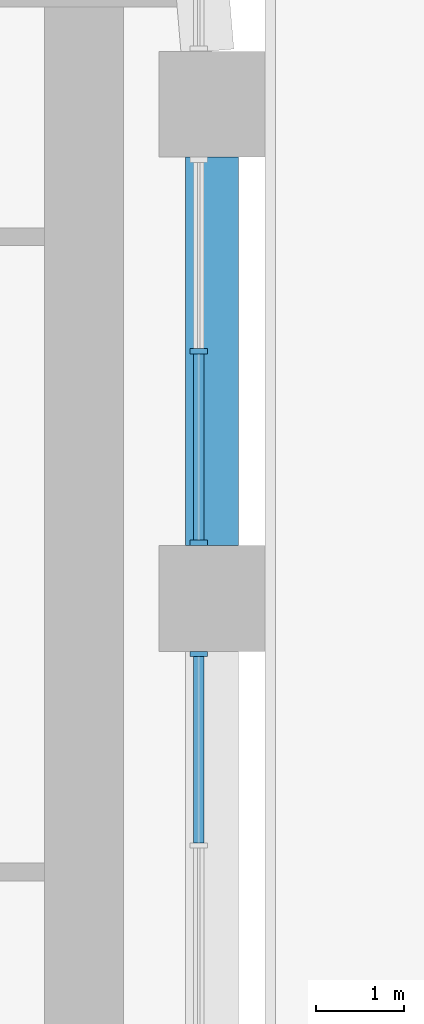
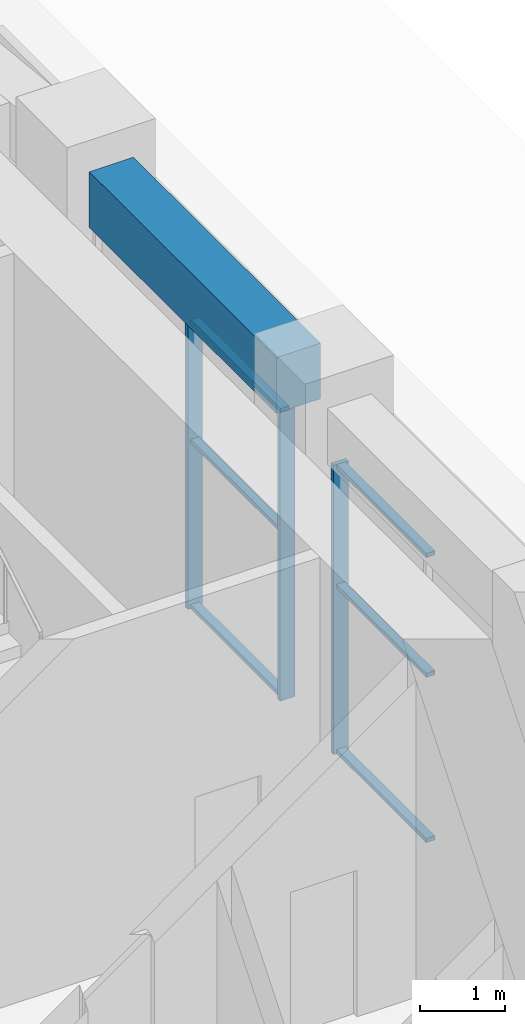
# One storey, part 7 of 28: 9 members, 1 beam, 2 elements without a shape of their own.
"""IFC4 building model written with IfcOpenShell, lengths in metres."""

from ifc_helpers import new_model, si_unit, direction, frame, origin, origin_2d, place, context, subcontext, project, spatial, rectangle, extrude, material, layer, layer_set, material_profile, profile_set, type_object, element, aggregate, save


model = new_model("IFC4")

# Units and contexts
model_context = context("Model", 3, precision=1e-05, world=origin(), true_north=direction((0.0, 1.0)))
body_context = subcontext(model_context, "Body", "Model", "MODEL_VIEW")
ifc_project = project(units=[si_unit("LENGTHUNIT", "METRE"), si_unit("AREAUNIT", "SQUARE_METRE"), si_unit("VOLUMEUNIT", "CUBIC_METRE"), si_unit("PLANEANGLEUNIT", "RADIAN"), si_unit("MASSUNIT", "GRAM", prefix="KILO")], contexts=[model_context])

# Site, building, storey
site_placement = place(None, origin())
site = spatial("IfcSite", under=ifc_project, at=site_placement, CompositionType="ELEMENT")
building_placement = place(site_placement, origin())
building = spatial("IfcBuilding", under=site, at=building_placement, Name="Kiln Ring Residences", CompositionType="ELEMENT")
storey_placement = place(building_placement, frame((0.0, 0.0, 125.300048828125)))
storey = spatial("IfcBuildingStorey", under=building, at=storey_placement, Name="L32", CompositionType="ELEMENT", Elevation=125.300048828125)

# Curtain wall, member
ifc_material_1 = material(Name="Aluminium and glass", Category="aluminium")
ifc_layer = layer(ifc_material_1, 0.199951171875)
ifc_layer_set = layer_set([ifc_layer], Name="CW1 CURTAIN WALL")
curtain_wall_type = type_object("IfcCurtainWallType", Name="CW1 CURTAIN WALL", PredefinedType="NOTDEFINED", material=ifc_layer_set)
placement = place(storey_placement, origin())
curtain_wall_1 = element("IfcCurtainWall", 1, at=placement, inside=storey, type_object=curtain_wall_type, Name="Curtain wall CW1 L32", PredefinedType="NOTDEFINED")
ifc_material_2 = material(Name="Aluminium 6063-T6", Category="aluminium")
ifc_material_profile_1 = material_profile(ifc_material_2, rectangle(XDim=0.199951171875, YDim=0.06005859375, at=origin_2d()), Name="AL 200x60")
ifc_profile_set_1 = profile_set([ifc_material_profile_1], Name="Aluminium 6063-T6")
member_type_1 = type_object("IfcMemberType", Name="CW1 MULLION 200 x 60", PredefinedType="MULLION", material=ifc_profile_set_1)
member_1_placement = place(storey_placement, frame((27.85009765625, 4.969970703125, 0.0), z_axis=(0.0, 0.0, 1.0), x_axis=(-1.0, 0.0, 0.0)))
member_1 = element("IfcMember", 2, at=member_1_placement, type_object=member_type_1, Name="CW1 mullion 3", PredefinedType="MULLION", context=body_context, shape_type="SweptSolid", body=[
    extrude(rectangle(XDim=0.199951171875, YDim=0.06005859375, at=origin_2d()), origin(), (0.0, 0.0, 1.0), 4.14990234375),
])

# Curtain wall, members
curtain_wall_2 = element("IfcCurtainWall", 3, at=placement, inside=storey, type_object=curtain_wall_type, Name="Curtain wall CW1 L32", PredefinedType="NOTDEFINED")
member_2_placement = place(storey_placement, frame((27.85009765625, 6.22998046875, 0.0), z_axis=(0.0, 0.0, 1.0), x_axis=(-1.0, 0.0, 0.0)))
member_2 = element("IfcMember", 4, at=member_2_placement, type_object=member_type_1, Name="CW1 mullion 1", PredefinedType="MULLION", context=body_context, shape_type="SweptSolid", body=[
    extrude(rectangle(XDim=0.199951171875, YDim=0.06005859375, at=origin_2d()), origin(), (0.0, 0.0, 1.0), 4.14990234375),
])
member_3_placement = place(storey_placement, frame((27.85009765625, 8.39990234375, 0.0), z_axis=(0.0, 0.0, 1.0), x_axis=(-1.0, 0.0, 0.0)))
member_3 = element("IfcMember", 5, at=member_3_placement, type_object=member_type_1, Name="CW1 mullion 2", PredefinedType="MULLION", context=body_context, shape_type="SweptSolid", body=[
    extrude(rectangle(XDim=0.199951171875, YDim=0.06005859375, at=origin_2d()), origin(), (0.0, 0.0, 1.0), 4.14990234375),
])

# Member
ifc_material_3 = material(Name="Aluminium 6063-T6", Category="aluminium")
ifc_material_profile_2 = material_profile(ifc_material_3, rectangle(XDim=0.1201171875, YDim=0.06005859375, at=origin_2d()), Name="AL 120x60")
ifc_profile_set_2 = profile_set([ifc_material_profile_2], Name="Aluminium 6063-T6")
member_type_2 = type_object("IfcMemberType", Name="CW1 TRANSOM 120 x 60", PredefinedType="USERDEFINED", material=ifc_profile_set_2)
member_4_placement = place(storey_placement, frame((27.85009765625, 2.830078125, 0.030029296875), z_axis=(0.0, 1.0, 0.0), x_axis=(-1.0, 0.0, 0.0)))
member_4 = element("IfcMember", 6, at=member_4_placement, type_object=member_type_2, Name="CW1 transom 2.1", ObjectType="TRANSOM", PredefinedType="USERDEFINED", context=body_context, shape_type="SweptSolid", body=[
    extrude(rectangle(XDim=0.1201171875, YDim=0.06005859375, at=origin_2d()), origin(), (0.0, 0.0, 1.0), 2.10986328125),
])

member_5_placement = place(storey_placement, frame((27.85009765625, 2.830078125, 2.39990234375), z_axis=(0.0, 1.0, 0.0), x_axis=(-1.0, 0.0, 0.0)))
member_5 = element("IfcMember", 7, at=member_5_placement, type_object=member_type_2, Name="CW1 transom 2.2", ObjectType="TRANSOM", PredefinedType="USERDEFINED", context=body_context, shape_type="SweptSolid", body=[
    extrude(rectangle(XDim=0.1201171875, YDim=0.06005859375, at=origin_2d()), origin(), (0.0, 0.0, 1.0), 2.10986328125),
])

member_6_placement = place(storey_placement, frame((27.85009765625, 2.830078125, 4.119873046875), z_axis=(0.0, 1.0, 0.0), x_axis=(-1.0, 0.0, 0.0)))
member_6 = element("IfcMember", 8, at=member_6_placement, type_object=member_type_2, Name="CW1 transom 2.3", ObjectType="TRANSOM", PredefinedType="USERDEFINED", context=body_context, shape_type="SweptSolid", body=[
    extrude(rectangle(XDim=0.1201171875, YDim=0.06005859375, at=origin_2d()), origin(), (0.0, 0.0, 1.0), 2.10986328125),
])

aggregate(curtain_wall_1, [member_1, member_4, member_5, member_6])

member_7_placement = place(storey_placement, frame((27.85009765625, 6.260009765625, 0.030029296875), z_axis=(0.0, 1.0, 0.0), x_axis=(-1.0, 0.0, 0.0)))
member_7 = element("IfcMember", 9, at=member_7_placement, type_object=member_type_2, Name="CW1 transom 1.1", ObjectType="TRANSOM", PredefinedType="USERDEFINED", context=body_context, shape_type="SweptSolid", body=[
    extrude(rectangle(XDim=0.1201171875, YDim=0.06005859375, at=origin_2d()), origin(), (0.0, 0.0, 1.0), 2.110107421875),
])

member_8_placement = place(storey_placement, frame((27.85009765625, 6.260009765625, 2.39990234375), z_axis=(0.0, 1.0, 0.0), x_axis=(-1.0, 0.0, 0.0)))
member_8 = element("IfcMember", 10, at=member_8_placement, type_object=member_type_2, Name="CW1 transom 1.2", ObjectType="TRANSOM", PredefinedType="USERDEFINED", context=body_context, shape_type="SweptSolid", body=[
    extrude(rectangle(XDim=0.1201171875, YDim=0.06005859375, at=origin_2d()), origin(), (0.0, 0.0, 1.0), 2.110107421875),
])

member_9_placement = place(storey_placement, frame((27.85009765625, 6.260009765625, 4.119873046875), z_axis=(0.0, 1.0, 0.0), x_axis=(-1.0, 0.0, 0.0)))
member_9 = element("IfcMember", 11, at=member_9_placement, type_object=member_type_2, Name="CW1 transom 1.3", ObjectType="TRANSOM", PredefinedType="USERDEFINED", context=body_context, shape_type="SweptSolid", body=[
    extrude(rectangle(XDim=0.1201171875, YDim=0.06005859375, at=origin_2d()), origin(), (0.0, 0.0, 1.0), 2.110107421875),
])

aggregate(curtain_wall_2, [member_2, member_3, member_7, member_8, member_9])

# Beam
ifc_material_4 = material(Name="Concrete C50/60", Category="concrete")
ifc_material_profile_3 = material_profile(ifc_material_4, rectangle(XDim=0.60009765625, YDim=0.800048828125, at=origin_2d()), Name="RC600x800")
ifc_profile_set_3 = profile_set([ifc_material_profile_3], Name="Concrete C50/60")
beam_type = type_object("IfcBeamType", Name="Spandrel beam RC600x800 C50/60", PredefinedType="SPANDREL", material=ifc_profile_set_3)
beam_placement = place(storey_placement, frame((28.0, 6.199951171875, 4.550048828125), z_axis=(0.0, 1.0, 0.0), x_axis=(-1.0, 0.0, 0.0)))
element("IfcBeam", 12, at=beam_placement, inside=storey, type_object=beam_type, Name="Spandrel beam L32 10", PredefinedType="SPANDREL", context=body_context, shape_type="SweptSolid", body=[
    extrude(rectangle(XDim=0.60009765625, YDim=0.800048828125, at=origin_2d()), origin(), (0.0, 0.0, 1.0), 4.400146484375),
])

save(model, "model.ifc")
